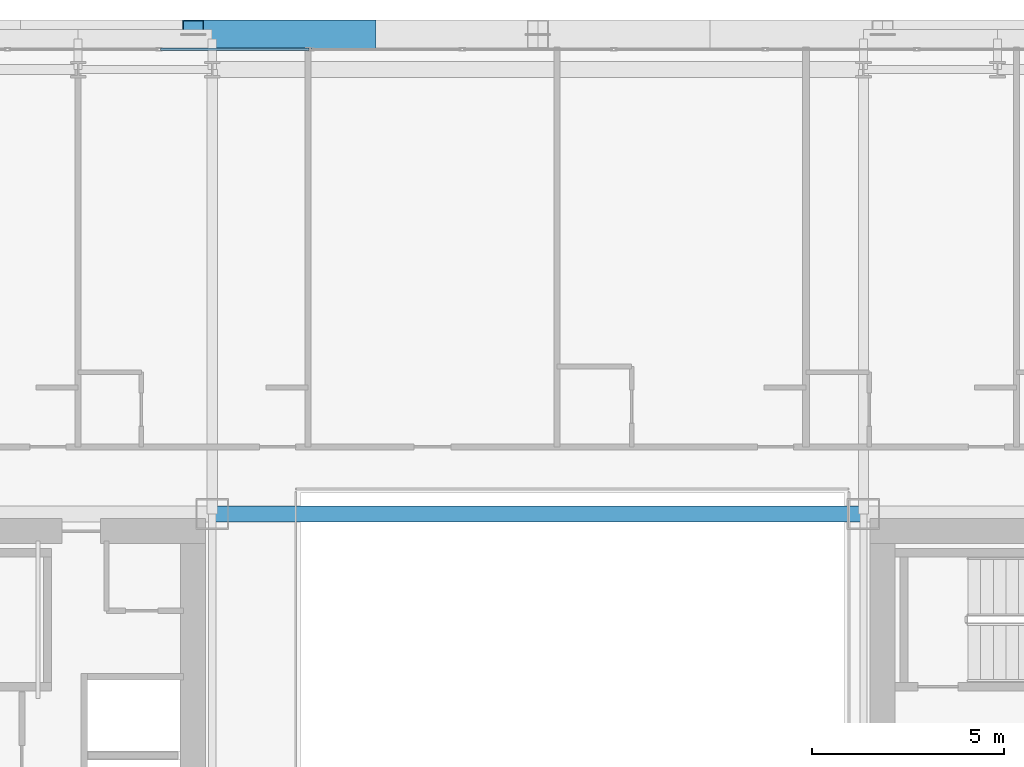
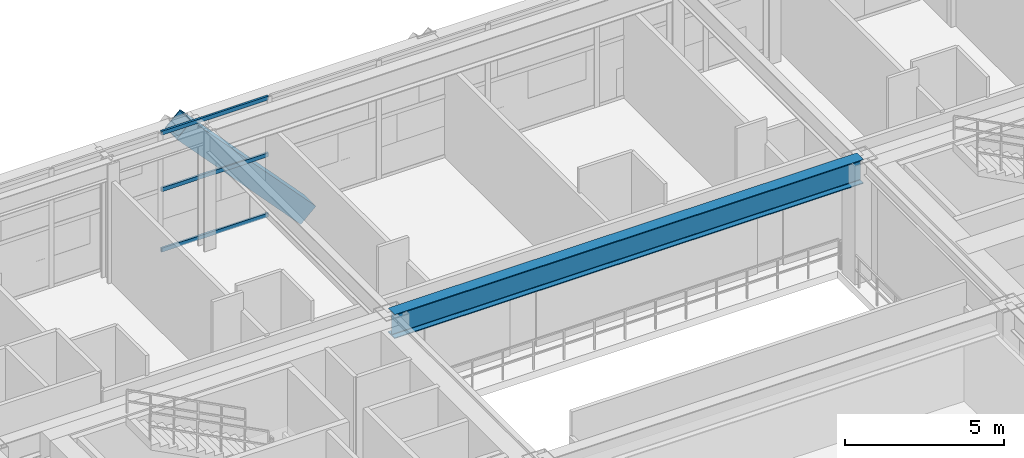
# One storey, part 20 of 38: 4 members, 1 beam, 1 element without a shape of its own.
"""IFC4 building model written with IfcOpenShell, lengths in metres."""

from ifc_helpers import new_model, si_unit, direction, frame, origin, origin_2d, place, context, subcontext, project, spatial, hollow_rectangle, i_section, extrude, source, transform, mapped, material, layer, layer_set, material_profile, profile_set, type_object, element, aggregate, save


model = new_model("IFC4")

# Units and contexts
model_context = context("Model", 3, precision=1e-05, world=origin(), true_north=direction((0.0, 1.0)))
body_context = subcontext(model_context, "Body", "Model", "MODEL_VIEW")
ifc_project = project(units=[si_unit("LENGTHUNIT", "METRE"), si_unit("AREAUNIT", "SQUARE_METRE"), si_unit("VOLUMEUNIT", "CUBIC_METRE"), si_unit("PLANEANGLEUNIT", "RADIAN"), si_unit("MASSUNIT", "GRAM", prefix="KILO")], contexts=[model_context])

# Site, building, storey
site_placement = place(None, origin())
site = spatial("IfcSite", under=ifc_project, at=site_placement, CompositionType="ELEMENT")
building_placement = place(site_placement, origin())
building = spatial("IfcBuilding", under=site, at=building_placement, Name="Ocotamira Hotel", CompositionType="ELEMENT")
storey_placement = place(building_placement, frame((0.0, 0.0, 92.39990234375)))
storey = spatial("IfcBuildingStorey", under=building, at=storey_placement, Name="L22", CompositionType="ELEMENT", Elevation=92.39990234375)

# Beam
ifc_material_1 = material(Name="Steel ASTM A992 Grade 50", Category="steel")
ifc_material_profile_1 = material_profile(ifc_material_1, i_section(OverallWidth=0.41796875, OverallDepth=0.927001953125, WebThickness=0.019287109375, FlangeThickness=0.031982421875, FilletRadius=0.02392578125, at=origin_2d()), Name="W36X231")
ifc_profile_set_1 = profile_set([ifc_material_profile_1], Name="Steel ASTM A992 Grade 50")
beam_type = type_object("IfcBeamType", Name="BM-GIRD-W36X231", PredefinedType="BEAM", material=ifc_profile_set_1)
shared_shape_1 = source(origin(), body_context, "Body", "SweptSolid", [
    extrude(i_section(OverallWidth=0.41796875, OverallDepth=0.927001953125, WebThickness=0.019287109375, FlangeThickness=0.031982421875, FilletRadius=0.02392578125, at=origin_2d()), origin(), (0.0, 0.0, 1.0), 17.0),
])
beam_placement = place(storey_placement, frame((23.5, 37.449951171875, 4.0966796875), z_axis=(1.0, 0.0, 0.0), x_axis=(0.0, 1.0, 0.0)))
element("IfcBeam", 1, at=beam_placement, inside=storey, type_object=beam_type, Name="L22 Girder Y37.45 X23.5-40.5", PredefinedType="BEAM", context=body_context, shape_type="MappedRepresentation", body=[
    mapped(shared_shape_1, transform((0.0, 0.0, 0.0), scale=1.0)),
])

# Member
ifc_material_2 = material(Name="Pale-metal coated steel ASTM A913 Grade 65", Category="steel")
ifc_material_profile_2 = material_profile(ifc_material_2, hollow_rectangle(XDim=0.75, YDim=0.75, WallThickness=0.028076171875, at=origin_2d()), Name="BOX750X750X28")
ifc_profile_set_2 = profile_set([ifc_material_profile_2], Name="Pale-metal coated steel ASTM A913 Grade 65")
member_type_1 = type_object("IfcMemberType", Name="MEM-EXO-BOX750", PredefinedType="BRACE", material=ifc_profile_set_2)
shared_shape_2 = source(origin(), body_context, "Body", "SweptSolid", [
    extrude(hollow_rectangle(XDim=0.75, YDim=0.75, WallThickness=0.028076171875, at=origin_2d()), origin(), (0.0, 0.0, 1.0), 6.608642578125),
])
member_1_placement = place(storey_placement, frame((27.5, 49.969970703125, -0.52978515625), z_axis=(-0.680927060572, 0.0, 0.732351239625), x_axis=(0.0, -1.0, 0.0)))
element("IfcMember", 2, at=member_1_placement, inside=storey, type_object=member_type_1, Name="L22 Exoskeleton Diagrid N1.1", PredefinedType="BRACE", context=body_context, shape_type="MappedRepresentation", body=[
    mapped(shared_shape_2, transform((0.0, 0.0, 0.0), scale=1.0)),
])

# Curtain wall, members
ifc_material_3 = material(Name="Anodised pale-metal aluminium and solar glass", Category="aluminium")
ifc_layer = layer(ifc_material_3, 0.239990234375)
ifc_layer_set = layer_set([ifc_layer], Name="Anodised pale-metal aluminium and solar glass")
curtain_wall_type = type_object("IfcCurtainWallType", Name="CW-SYS5-SKY", PredefinedType="NOTDEFINED", material=ifc_layer_set)
curtain_wall_placement = place(storey_placement, origin())
curtain_wall = element("IfcCurtainWall", 3, at=curtain_wall_placement, inside=storey, type_object=curtain_wall_type, Name="L22 Curtain Wall CW-5 CW-L22-N", PredefinedType="NOTDEFINED")
ifc_material_4 = material(Name="Anodised pale-metal aluminium 6063-T6", Category="aluminium")
ifc_material_profile_3 = material_profile(ifc_material_4, hollow_rectangle(XDim=0.074951171875, YDim=0.14990234375, WallThickness=0.006103515625, at=origin_2d()), Name="HSS150X75X6")
ifc_profile_set_3 = profile_set([ifc_material_profile_3], Name="Anodised pale-metal aluminium 6063-T6")
member_type_2 = type_object("IfcMemberType", Name="CWT-150X75", PredefinedType="USERDEFINED", material=ifc_profile_set_3)
shared_shape_3 = source(origin(), body_context, "Body", "SweptSolid", [
    extrude(hollow_rectangle(XDim=0.074951171875, YDim=0.14990234375, WallThickness=0.006103515625, at=origin_2d()), origin(), (0.0, 0.0, 1.0), 3.87548828125),
])
member_2_placement = place(storey_placement, frame((22.151123046875, 49.580078125, 0.03759765625), z_axis=(1.0, 0.0, 0.0), x_axis=(0.0, 1.0, 0.0)))
member_2 = element("IfcMember", 4, at=member_2_placement, type_object=member_type_2, Name="CW-5 transom 3.1", ObjectType="TRANSOM", PredefinedType="USERDEFINED", context=body_context, shape_type="MappedRepresentation", body=[
    mapped(shared_shape_3, transform((0.0, 0.0, 0.0), scale=1.0)),
])
member_3_placement = place(storey_placement, frame((22.151123046875, 49.580078125, 2.35009765625), z_axis=(1.0, 0.0, 0.0), x_axis=(0.0, 1.0, 0.0)))
member_3 = element("IfcMember", 5, at=member_3_placement, type_object=member_type_2, Name="CW-5 transom 3.2", ObjectType="TRANSOM", PredefinedType="USERDEFINED", context=body_context, shape_type="MappedRepresentation", body=[
    mapped(shared_shape_3, transform((0.0, 0.0, 0.0), scale=1.0)),
])
member_4_placement = place(storey_placement, frame((22.151123046875, 49.580078125, 4.522705078125), z_axis=(1.0, 0.0, 0.0), x_axis=(0.0, 1.0, 0.0)))
member_4 = element("IfcMember", 6, at=member_4_placement, type_object=member_type_2, Name="CW-5 transom 3.3", ObjectType="TRANSOM", PredefinedType="USERDEFINED", context=body_context, shape_type="MappedRepresentation", body=[
    mapped(shared_shape_3, transform((0.0, 0.0, 0.0), scale=1.0)),
])
aggregate(curtain_wall, [member_2, member_3, member_4])

save(model, "model.ifc")
